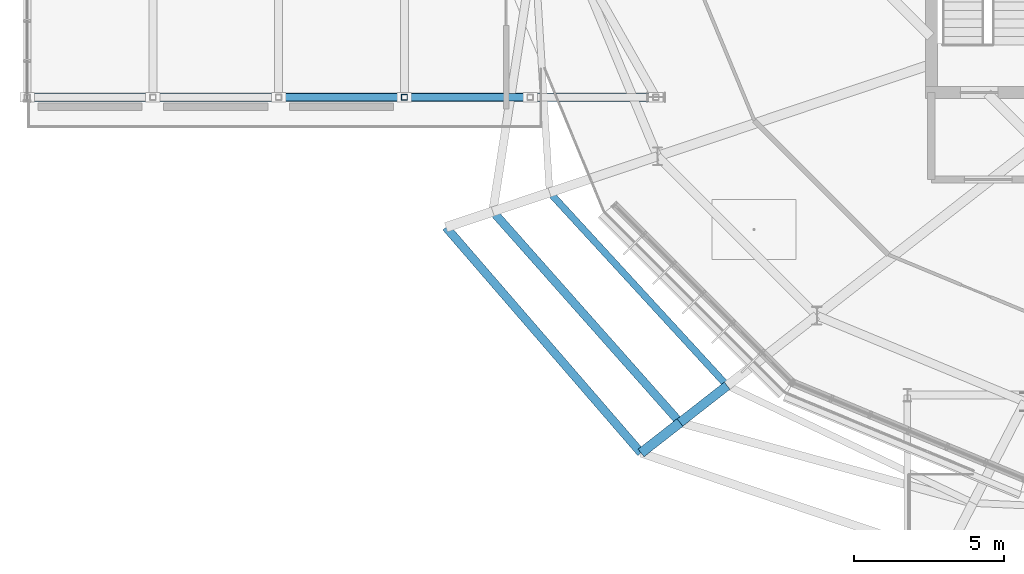
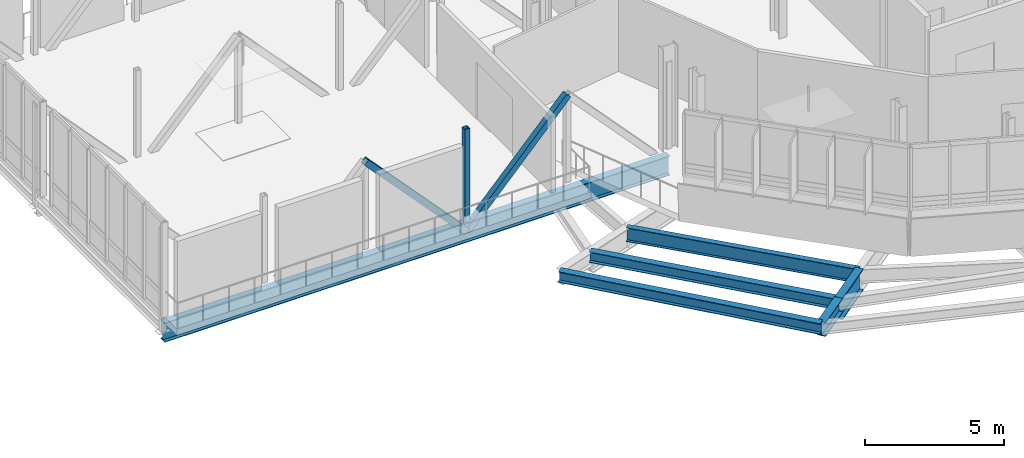
# One storey, part 26 of 139: 6 beams, 3 members.
"""IFC4 building model written with IfcOpenShell, lengths in metres."""

from ifc_helpers import new_model, si_unit, derived_unit, direction, frame, origin, origin_2d, place, context, subcontext, project, spatial, hollow_rectangle, i_section, extrude, material, material_profile, profile_set, type_object, element, save


model = new_model("IFC4")

# Units and contexts
model_context = context("Model", 3, precision=1e-05, world=origin(), true_north=direction((0.0, 1.0)))
body_context = subcontext(model_context, "Body", "Model", "MODEL_VIEW")
ifc_project = project(units=[si_unit("LENGTHUNIT", "METRE"), si_unit("AREAUNIT", "SQUARE_METRE"), si_unit("VOLUMEUNIT", "CUBIC_METRE"), si_unit("PLANEANGLEUNIT", "RADIAN"), si_unit("MASSUNIT", "GRAM", prefix="KILO"), derived_unit("THERMALTRANSMITTANCEUNIT", [(si_unit("MASSUNIT", "GRAM", prefix="KILO"), 1), (si_unit("TIMEUNIT", "SECOND"), -3), (si_unit("THERMODYNAMICTEMPERATUREUNIT", "KELVIN"), -1)])], contexts=[model_context])

# Site, building, storey
site_placement = place(None, origin())
site = spatial("IfcSite", under=ifc_project, at=site_placement, CompositionType="ELEMENT")
building_placement = place(site_placement, origin())
building = spatial("IfcBuilding", under=site, at=building_placement, Name="Makaiwela Harbour Ferry Terminal", CompositionType="ELEMENT")
storey_placement = place(building_placement, frame((0.0, 0.0, 5.10009765625)))
storey = spatial("IfcBuildingStorey", under=building, at=storey_placement, Name="L01", CompositionType="ELEMENT", Elevation=5.10009765625)

# Beam
ifc_material_1 = material(Name="Steel ASTM A992 Grade 50", Category="steel")
ifc_material_profile_1 = material_profile(ifc_material_1, i_section(OverallWidth=0.280029296875, OverallDepth=0.462890625, WebThickness=0.0107421875, FlangeThickness=0.017333984375, at=origin_2d()), Name="W18X76")
ifc_profile_set_1 = profile_set([ifc_material_profile_1], Name="Steel ASTM A992 Grade 50")
beam_type_1 = type_object("IfcBeamType", Name="STR-BM-W18X76", PredefinedType="BEAM", material=ifc_profile_set_1)
beam_1_placement = place(storey_placement, frame((15.55419921875, 55.531494140625, -0.51171875), z_axis=(0.663557769393, -0.748125047488, 0.0), x_axis=(0.748125047488, 0.663557769393, 0.0)))
element("IfcBeam", 1, at=beam_1_placement, inside=storey, type_object=beam_type_1, Name="Drum stage2 tie girder 95", PredefinedType="BEAM", context=body_context, shape_type="SweptSolid", body=[
    extrude(i_section(OverallWidth=0.280029296875, OverallDepth=0.462890625, WebThickness=0.0107421875, FlangeThickness=0.017333984375, at=origin_2d()), origin(), (0.0, 0.0, 1.0), 9.4228515625),
])

# Members
ifc_material_2 = material(Name="Steel ASTM A500 Grade C", Category="steel")
ifc_material_profile_2 = material_profile(ifc_material_2, hollow_rectangle(XDim=0.25390625, YDim=0.25390625, WallThickness=0.0146484375, at=origin_2d()), Name="HSS10X10X5/8")
ifc_profile_set_2 = profile_set([ifc_material_profile_2], Name="Steel ASTM A500 Grade C")
member_type_1 = type_object("IfcMemberType", Name="STR-BRC-HSS10", PredefinedType="BRACE", material=ifc_profile_set_2)
for number, where, z_axis, x_axis, name in (
    (2, (16.800048828125, 59.35009765625, 3.814453125), (-0.680693892275, 0.0, -0.732567966144), (0.0, -1.0, 0.0), "Structural Member BR-01"),
    (3, (12.60009765625, 59.35009765625, -0.70556640625), (-0.680715125989, 0.0, 0.732548235443), (0.0, -1.0, 0.0), "Structural Member BR-01"),
):
    element("IfcMember", number, at=place(storey_placement, frame(where, z_axis=z_axis, x_axis=x_axis)), inside=storey, type_object=member_type_1, Name=name, PredefinedType="BRACE", context=body_context, shape_type="SweptSolid", body=[
        extrude(hollow_rectangle(XDim=0.25390625, YDim=0.25390625, WallThickness=0.0146484375, at=origin_2d()), origin(), (0.0, 0.0, 1.0), 6.170166015625),
    ])

# Beams
ifc_material_profile_3 = material_profile(ifc_material_1, i_section(OverallWidth=0.324951171875, OverallDepth=0.615966796875, WebThickness=0.013916015625, FlangeThickness=0.021484375, at=origin_2d()), Name="W24X117")
ifc_profile_set_3 = profile_set([ifc_material_profile_3], Name="Steel ASTM A992 Grade 50")
beam_type_2 = type_object("IfcBeamType", Name="STR-GRD-W24X117", PredefinedType="USERDEFINED", material=ifc_profile_set_3)
beam_2_placement = place(storey_placement, frame((21.806884765625, 48.48193359375, -0.588134765625), z_axis=(-0.788091669189, -0.615557894072, 0.0), x_axis=(0.615557894072, -0.788091669189, 0.0)))
element("IfcBeam", 4, at=beam_2_placement, inside=storey, type_object=beam_type_2, Name="Promenade terrace bracket 62", ObjectType="GIRDER", PredefinedType="USERDEFINED", context=body_context, shape_type="SweptSolid", body=[
    extrude(i_section(OverallWidth=0.324951171875, OverallDepth=0.615966796875, WebThickness=0.013916015625, FlangeThickness=0.021484375, at=origin_2d()), origin(), (0.0, 0.0, 1.0), 1.64990234375),
])
ifc_material_profile_4 = material_profile(ifc_material_1, i_section(OverallWidth=0.22900390625, OverallDepth=0.612060546875, WebThickness=0.011962890625, FlangeThickness=0.01953125, at=origin_2d()), Name="W24X84")
ifc_profile_set_4 = profile_set([ifc_material_profile_4], Name="Steel ASTM A992 Grade 50")
beam_type_3 = type_object("IfcBeamType", Name="STR-GRD-W24X84", PredefinedType="USERDEFINED", material=ifc_profile_set_4)
beam_3_placement = place(storey_placement, frame((17.4501953125, 56.168212890625, -0.586181640625), z_axis=(0.676696289264, -0.73626227127, 0.0), x_axis=(0.73626227127, 0.676696289264, 0.0)))
element("IfcBeam", 5, at=beam_3_placement, inside=storey, type_object=beam_type_3, Name="Drum overhang tie girder 94", ObjectType="GIRDER", PredefinedType="USERDEFINED", context=body_context, shape_type="SweptSolid", body=[
    extrude(i_section(OverallWidth=0.22900390625, OverallDepth=0.612060546875, WebThickness=0.011962890625, FlangeThickness=0.01953125, at=origin_2d()), origin(), (0.0, 0.0, 1.0), 8.76708984375),
])
ifc_material_profile_5 = material_profile(ifc_material_1, i_section(OverallWidth=0.2939453125, OverallDepth=0.85107421875, WebThickness=0.01611328125, FlangeThickness=0.02685546875, at=origin_2d()), Name="W33X152")
ifc_profile_set_5 = profile_set([ifc_material_profile_5], Name="Steel ASTM A992 Grade 50")
beam_type_4 = type_object("IfcBeamType", Name="STR-GRD-W33X152", PredefinedType="USERDEFINED", material=ifc_profile_set_5)
beam_4_placement = place(storey_placement, frame((0.0, 59.35009765625, -0.70556640625), z_axis=(1.0, 0.0, 0.0), x_axis=(0.0, 1.0, 0.0)))
element("IfcBeam", 6, at=beam_4_placement, inside=storey, type_object=beam_type_4, Name="West bridge truss bottom chord 1", ObjectType="GIRDER", PredefinedType="USERDEFINED", context=body_context, shape_type="SweptSolid", body=[
    extrude(i_section(OverallWidth=0.2939453125, OverallDepth=0.85107421875, WebThickness=0.01611328125, FlangeThickness=0.02685546875, at=origin_2d()), origin(), (0.0, 0.0, 1.0), 21.0),
])
ifc_material_profile_6 = material_profile(ifc_material_1, i_section(OverallWidth=0.31005859375, OverallDepth=0.949951171875, WebThickness=0.0244140625, FlangeThickness=0.0439453125, at=origin_2d()), Name="W36X256")
ifc_profile_set_6 = profile_set([ifc_material_profile_6], Name="Steel ASTM A992 Grade 50")
beam_type_5 = type_object("IfcBeamType", Name="STR-GRD-W36X256", PredefinedType="USERDEFINED", material=ifc_profile_set_6)
beam_5_placement = place(storey_placement, frame((23.3828125, 49.71337890625, -0.755126953125), z_axis=(-0.787963297722, -0.615722211264, 0.0), x_axis=(0.615722211264, -0.787963297722, 0.0)))
element("IfcBeam", 7, at=beam_5_placement, inside=storey, type_object=beam_type_5, Name="Drum overhang radial girder 61", ObjectType="GIRDER", PredefinedType="USERDEFINED", context=body_context, shape_type="SweptSolid", body=[
    extrude(i_section(OverallWidth=0.31005859375, OverallDepth=0.949951171875, WebThickness=0.0244140625, FlangeThickness=0.0439453125, at=origin_2d()), origin(), (0.0, 0.0, 1.0), 2.0),
])

# Member
ifc_material_profile_7 = material_profile(ifc_material_2, hollow_rectangle(XDim=0.202880859375, YDim=0.202880859375, WallThickness=0.01171875, at=origin_2d()), Name="HSS8X8X1/2")
ifc_profile_set_7 = profile_set([ifc_material_profile_7], Name="Steel ASTM A500 Grade C")
member_type_2 = type_object("IfcMemberType", Name="STR-PST-HSS8", PredefinedType="POST", material=ifc_profile_set_7)
member_placement = place(storey_placement, frame((12.60009765625, 59.35009765625, -0.70556640625), z_axis=(0.0, 0.0, 1.0), x_axis=(1.0, 0.0, 0.0)))
element("IfcMember", 8, at=member_placement, inside=storey, type_object=member_type_2, Name="Structural Member PS-01", PredefinedType="POST", context=body_context, shape_type="SweptSolid", body=[
    extrude(hollow_rectangle(XDim=0.202880859375, YDim=0.202880859375, WallThickness=0.01171875, at=origin_2d()), origin(), (0.0, 0.0, 1.0), 4.52001953125),
])

# Beam
ifc_material_profile_8 = material_profile(ifc_material_1, i_section(OverallWidth=0.283935546875, OverallDepth=0.47607421875, WebThickness=0.014892578125, FlangeThickness=0.02392578125, at=origin_2d()), Name="W18X106")
ifc_profile_set_8 = profile_set([ifc_material_profile_8], Name="Steel ASTM A992 Grade 50")
beam_type_6 = type_object("IfcBeamType", Name="STR-SPN-W18X106", PredefinedType="SPANDREL", material=ifc_profile_set_8)
beam_6_placement = place(storey_placement, frame((13.989990234375, 55.00634765625, -0.51806640625), z_axis=(0.653892810567, -0.756587200717, 0.0), x_axis=(0.756587200717, 0.653892810567, 0.0)))
element("IfcBeam", 9, at=beam_6_placement, inside=storey, type_object=beam_type_6, Name="Drum perimeter spandrel 109", PredefinedType="SPANDREL", context=body_context, shape_type="SweptSolid", body=[
    extrude(i_section(OverallWidth=0.283935546875, OverallDepth=0.47607421875, WebThickness=0.014892578125, FlangeThickness=0.02392578125, at=origin_2d()), origin(), (0.0, 0.0, 1.0), 9.9658203125),
])

save(model, "model.ifc")
